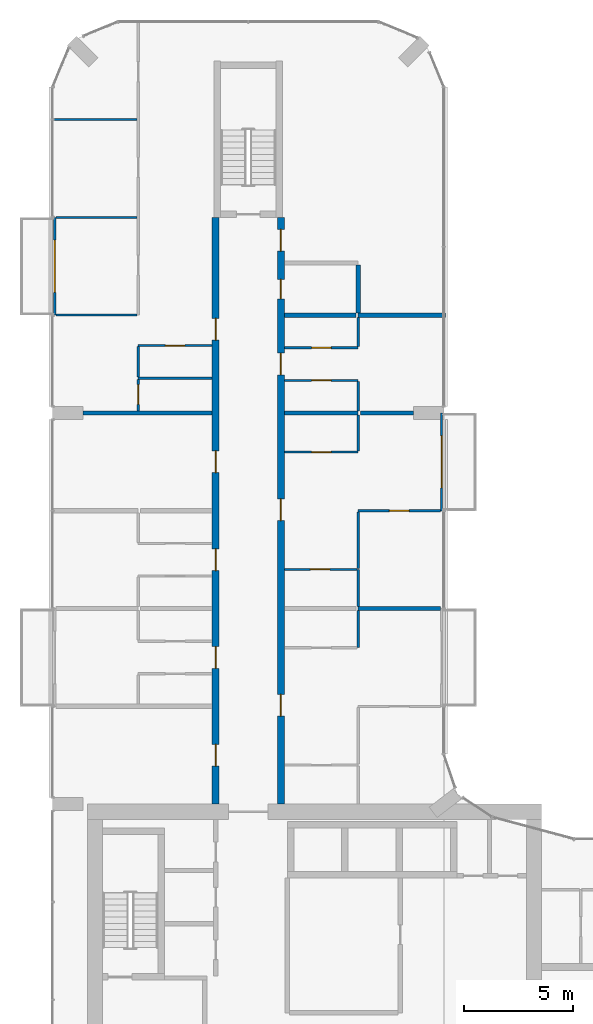
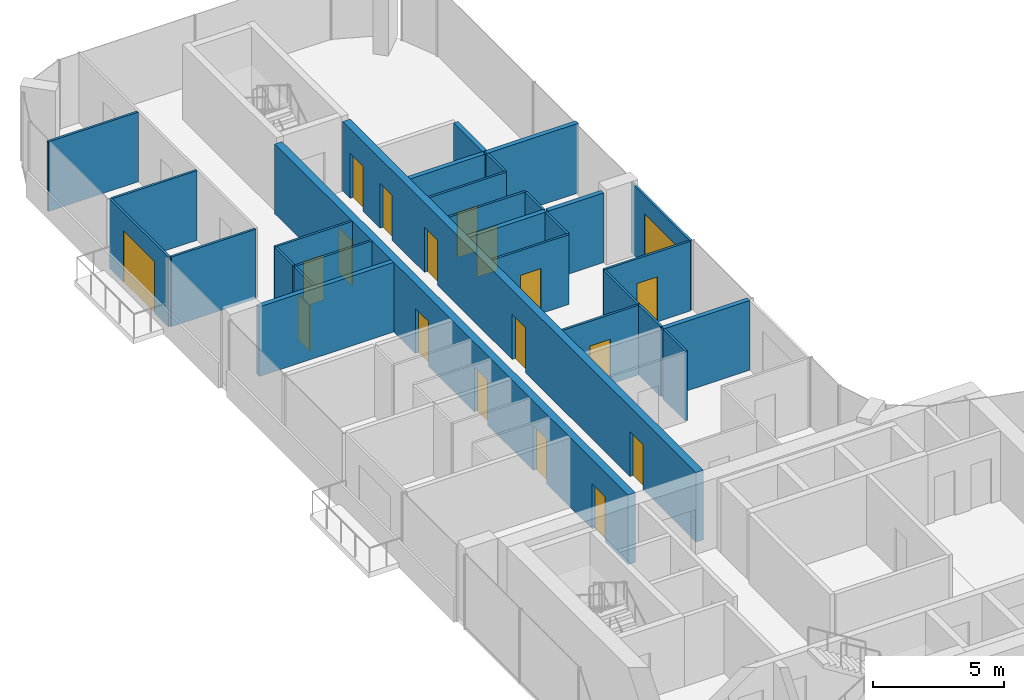
# One storey, part 16 of 23: 29 walls, 19 doors, 19 openings.
"""IFC4 building model written with IfcOpenShell, lengths in metres."""

from ifc_helpers import new_model, si_unit, direction, frame, frame_2d, origin, place, context, subcontext, project, spatial, rectangle, extrude, material, layer, layer_set, type_object, element, fill, save


model = new_model("IFC4")

# Units and contexts
model_context = context("Model", 3, precision=1e-05, world=origin(), true_north=direction((0.0, 1.0)))
body_context = subcontext(model_context, "Body", "Model", "MODEL_VIEW")
ifc_project = project(units=[si_unit("LENGTHUNIT", "METRE"), si_unit("AREAUNIT", "SQUARE_METRE"), si_unit("VOLUMEUNIT", "CUBIC_METRE"), si_unit("PLANEANGLEUNIT", "RADIAN"), si_unit("MASSUNIT", "GRAM", prefix="KILO")], contexts=[model_context])

# Site, building, storey
site_placement = place(None, origin())
site = spatial("IfcSite", under=ifc_project, at=site_placement, CompositionType="ELEMENT")
building_placement = place(site_placement, origin())
building = spatial("IfcBuilding", under=site, at=building_placement, Name="Plateau Cross Towers", CompositionType="ELEMENT")
storey_placement = place(building_placement, frame((0.0, 0.0, 81.800048828125)))
storey = spatial("IfcBuildingStorey", under=building, at=storey_placement, Name="L20", CompositionType="ELEMENT", Elevation=81.800048828125)

# Wall, opening, door
ifc_material_1 = material(Name="Aluminium framed glazing", Category="aluminium")
ifc_layer_1 = layer(ifc_material_1, 0.10009765625)
ifc_layer_set_1 = layer_set([ifc_layer_1], Name="Aluminium framed glazing")
wall_type_1 = type_object("IfcWallType", Name="Balcony screen wall 100", PredefinedType="STANDARD", material=ifc_layer_set_1)
wall_1_placement = place(storey_placement, frame((0.10009765625, 40.5, 0.0), z_axis=(0.0, 0.0, 1.0), x_axis=(0.0, 1.0, 0.0)))
wall_1 = element("IfcWall", 1, at=wall_1_placement, inside=storey, type_object=wall_type_1, Name="Balcony screen wall A-BAL-L20-02", PredefinedType="STANDARD", context=body_context, shape_type="SweptSolid", body=[
    extrude(rectangle(XDim=4.5, YDim=0.10009765625, at=frame_2d((2.25, 0.0))), origin(), (0.0, 0.0, 1.0), 3.25),
])
opening_1_placement = place(wall_1_placement, frame((1.050048828125, 0.0, 0.0)))
opening_1 = element("IfcOpeningElement", 2, at=opening_1_placement, cuts=wall_1, Name="Opening D-B24", PredefinedType="OPENING", context=body_context, shape_type="SweptSolid", body=[
    extrude(rectangle(XDim=2.39990234375, YDim=2.39990234375, at=frame_2d((1.199951171875, 1.199951171875))), frame((0.0, 0.06005859375, 0.0), z_axis=(0.0, -1.0, 0.0), x_axis=(1.0, 0.0, 0.0)), (0.0, 0.0, 1.0), 0.1201171875),
])
ifc_material_2 = material(Name="Aluminium frame, double glazing", Category="aluminium")
door_type_1 = type_object("IfcDoorType", Name="Balcony sliding door 2400", OperationType="NOTDEFINED", PredefinedType="DOOR", material=ifc_material_2)
door_1_placement = place(opening_1_placement, origin())
door_1 = element("IfcDoor", 3, at=door_1_placement, inside=storey, type_object=door_type_1, Name="Balcony door A-BAL-L20-02", OperationType="SINGLE_SWING_LEFT", OverallHeight=2.39990234375, OverallWidth=2.39990234375, PredefinedType="DOOR", context=body_context, shape_type="SweptSolid", body=[
    extrude(rectangle(XDim=2.39990234375, YDim=2.39990234375, at=frame_2d((1.199951171875, 1.199951171875))), frame((0.0, 0.02490234375, 0.0), z_axis=(0.0, -1.0, 0.0), x_axis=(1.0, 0.0, 0.0)), (0.0, 0.0, 1.0), 0.050048828125),
])
fill(opening_1, door_1)

wall_2_placement = place(storey_placement, frame((17.89990234375, 36.0, 0.0), z_axis=(0.0, 0.0, 1.0), x_axis=(0.0, -1.0, 0.0)))
wall_2 = element("IfcWall", 4, at=wall_2_placement, inside=storey, type_object=wall_type_1, Name="Balcony screen wall A-BAL-L20-04", PredefinedType="STANDARD", context=body_context, shape_type="SweptSolid", body=[
    extrude(rectangle(XDim=4.5, YDim=0.10009765625, at=frame_2d((2.25, 0.0))), origin(), (0.0, 0.0, 1.0), 3.25),
])
opening_2_placement = place(wall_2_placement, frame((1.050048828125, 0.0, 0.0)))
opening_2 = element("IfcOpeningElement", 5, at=opening_2_placement, cuts=wall_2, Name="Opening D-B24", PredefinedType="OPENING", context=body_context, shape_type="SweptSolid", body=[
    extrude(rectangle(XDim=2.39990234375, YDim=2.39990234375, at=frame_2d((1.199951171875, 1.199951171875))), frame((0.0, 0.06005859375, 0.0), z_axis=(0.0, -1.0, 0.0), x_axis=(1.0, 0.0, 0.0)), (0.0, 0.0, 1.0), 0.1201171875),
])
door_2_placement = place(opening_2_placement, origin())
door_2 = element("IfcDoor", 6, at=door_2_placement, inside=storey, type_object=door_type_1, Name="Balcony door A-BAL-L20-04", OperationType="SINGLE_SWING_LEFT", OverallHeight=2.39990234375, OverallWidth=2.39990234375, PredefinedType="DOOR", context=body_context, shape_type="SweptSolid", body=[
    extrude(rectangle(XDim=2.39990234375, YDim=2.39990234375, at=frame_2d((1.199951171875, 1.199951171875))), frame((0.0, 0.02490234375, 0.0), z_axis=(0.0, -1.0, 0.0), x_axis=(1.0, 0.0, 0.0)), (0.0, 0.0, 1.0), 0.050048828125),
])
fill(opening_2, door_2)

# Wall, openings, doors
ifc_material_3 = material(Name="Concrete C60/75", Category="concrete")
ifc_layer_2 = layer(ifc_material_3, 0.324951171875)
ifc_layer_set_2 = layer_set([ifc_layer_2], Name="Concrete C60/75")
wall_type_2 = type_object("IfcWallType", Name="Corridor wall 325", PredefinedType="SHEAR", material=ifc_layer_set_2)
wall_3_placement = place(storey_placement, frame((7.5, 18.0, 0.0), z_axis=(0.0, 0.0, 1.0), x_axis=(0.0, 1.0, 0.0)))
wall_3 = element("IfcWall", 7, at=wall_3_placement, inside=storey, type_object=wall_type_2, Name="A-cw-W1@L20", PredefinedType="SHEAR", context=body_context, shape_type="SweptSolid", body=[
    extrude(rectangle(XDim=27.0, YDim=0.324951171875, at=frame_2d((13.5, 0.0))), origin(), (0.0, 0.0, 1.0), 3.25),
])
opening_3_placement = place(wall_3_placement, frame((1.75, 0.0, 0.0)))
opening_3 = element("IfcOpeningElement", 8, at=opening_3_placement, cuts=wall_3, Name="Opening 20-08", PredefinedType="OPENING", context=body_context, shape_type="SweptSolid", body=[
    extrude(rectangle(XDim=1.0, YDim=2.10009765625, at=frame_2d((0.5, 1.050048828125))), frame((0.0, 0.17236328125, 0.0), z_axis=(0.0, -1.0, 0.0), x_axis=(1.0, 0.0, 0.0)), (0.0, 0.0, 1.0), 0.344970703125),
])
opening_4_placement = place(wall_3_placement, frame((6.25, 0.0, 0.0)))
opening_4 = element("IfcOpeningElement", 9, at=opening_4_placement, cuts=wall_3, Name="Opening 20-09", PredefinedType="OPENING", context=body_context, shape_type="SweptSolid", body=[
    extrude(rectangle(XDim=1.0, YDim=2.10009765625, at=frame_2d((0.5, 1.050048828125))), frame((0.0, 0.17236328125, 0.0), z_axis=(0.0, -1.0, 0.0), x_axis=(1.0, 0.0, 0.0)), (0.0, 0.0, 1.0), 0.344970703125),
])
opening_5_placement = place(wall_3_placement, frame((10.75, 0.0, 0.0)))
opening_5 = element("IfcOpeningElement", 10, at=opening_5_placement, cuts=wall_3, Name="Opening 20-10", PredefinedType="OPENING", context=body_context, shape_type="SweptSolid", body=[
    extrude(rectangle(XDim=1.0, YDim=2.10009765625, at=frame_2d((0.5, 1.050048828125))), frame((0.0, 0.17236328125, 0.0), z_axis=(0.0, -1.0, 0.0), x_axis=(1.0, 0.0, 0.0)), (0.0, 0.0, 1.0), 0.344970703125),
])
opening_6_placement = place(wall_3_placement, frame((15.25, 0.0, 0.0)))
opening_6 = element("IfcOpeningElement", 11, at=opening_6_placement, cuts=wall_3, Name="Opening 20-11", PredefinedType="OPENING", context=body_context, shape_type="SweptSolid", body=[
    extrude(rectangle(XDim=1.0, YDim=2.10009765625, at=frame_2d((0.5, 1.050048828125))), frame((0.0, 0.17236328125, 0.0), z_axis=(0.0, -1.0, 0.0), x_axis=(1.0, 0.0, 0.0)), (0.0, 0.0, 1.0), 0.344970703125),
])
opening_7_placement = place(wall_3_placement, frame((21.35009765625, 0.0, 0.0)))
opening_7 = element("IfcOpeningElement", 12, at=opening_7_placement, cuts=wall_3, Name="Opening 20-12", PredefinedType="OPENING", context=body_context, shape_type="SweptSolid", body=[
    extrude(rectangle(XDim=1.0, YDim=2.10009765625, at=frame_2d((0.5, 1.050048828125))), frame((0.0, 0.17236328125, 0.0), z_axis=(0.0, -1.0, 0.0), x_axis=(1.0, 0.0, 0.0)), (0.0, 0.0, 1.0), 0.344970703125),
])
ifc_material_4 = material(Name="Timber, fire-resisting leaf", Category="wood")
door_type_2 = type_object("IfcDoorType", Name="Flat entrance door 1000", OperationType="NOTDEFINED", PredefinedType="DOOR", material=ifc_material_4)
door_3_placement = place(opening_3_placement, origin())
door_3 = element("IfcDoor", 13, at=door_3_placement, inside=storey, type_object=door_type_2, Name="Door 20-08", OperationType="SINGLE_SWING_LEFT", OverallHeight=2.10009765625, OverallWidth=1.0, PredefinedType="DOOR", context=body_context, shape_type="SweptSolid", body=[
    extrude(rectangle(XDim=1.0, YDim=2.10009765625, at=frame_2d((0.5, 1.050048828125))), frame((0.0, 0.02490234375, 0.0), z_axis=(0.0, -1.0, 0.0), x_axis=(1.0, 0.0, 0.0)), (0.0, 0.0, 1.0), 0.050048828125),
])
fill(opening_3, door_3)
door_4_placement = place(opening_4_placement, origin())
door_4 = element("IfcDoor", 14, at=door_4_placement, inside=storey, type_object=door_type_2, Name="Door 20-09", OperationType="SINGLE_SWING_LEFT", OverallHeight=2.10009765625, OverallWidth=1.0, PredefinedType="DOOR", context=body_context, shape_type="SweptSolid", body=[
    extrude(rectangle(XDim=1.0, YDim=2.10009765625, at=frame_2d((0.5, 1.050048828125))), frame((0.0, 0.02490234375, 0.0), z_axis=(0.0, -1.0, 0.0), x_axis=(1.0, 0.0, 0.0)), (0.0, 0.0, 1.0), 0.050048828125),
])
fill(opening_4, door_4)
door_5_placement = place(opening_5_placement, origin())
door_5 = element("IfcDoor", 15, at=door_5_placement, inside=storey, type_object=door_type_2, Name="Door 20-10", OperationType="SINGLE_SWING_LEFT", OverallHeight=2.10009765625, OverallWidth=1.0, PredefinedType="DOOR", context=body_context, shape_type="SweptSolid", body=[
    extrude(rectangle(XDim=1.0, YDim=2.10009765625, at=frame_2d((0.5, 1.050048828125))), frame((0.0, 0.02490234375, 0.0), z_axis=(0.0, -1.0, 0.0), x_axis=(1.0, 0.0, 0.0)), (0.0, 0.0, 1.0), 0.050048828125),
])
fill(opening_5, door_5)
door_6_placement = place(opening_6_placement, origin())
door_6 = element("IfcDoor", 16, at=door_6_placement, inside=storey, type_object=door_type_2, Name="Door 20-11", OperationType="SINGLE_SWING_RIGHT", OverallHeight=2.10009765625, OverallWidth=1.0, PredefinedType="DOOR", context=body_context, shape_type="SweptSolid", body=[
    extrude(rectangle(XDim=1.0, YDim=2.10009765625, at=frame_2d((0.5, 1.050048828125))), frame((0.0, 0.02490234375, 0.0), z_axis=(0.0, -1.0, 0.0), x_axis=(1.0, 0.0, 0.0)), (0.0, 0.0, 1.0), 0.050048828125),
])
fill(opening_6, door_6)
door_7_placement = place(opening_7_placement, origin())
door_7 = element("IfcDoor", 17, at=door_7_placement, inside=storey, type_object=door_type_2, Name="Door 20-12", OperationType="SINGLE_SWING_RIGHT", OverallHeight=2.10009765625, OverallWidth=1.0, PredefinedType="DOOR", context=body_context, shape_type="SweptSolid", body=[
    extrude(rectangle(XDim=1.0, YDim=2.10009765625, at=frame_2d((0.5, 1.050048828125))), frame((0.0, 0.02490234375, 0.0), z_axis=(0.0, -1.0, 0.0), x_axis=(1.0, 0.0, 0.0)), (0.0, 0.0, 1.0), 0.050048828125),
])
fill(opening_7, door_7)

wall_4_placement = place(storey_placement, frame((10.5, 18.0, 0.0), z_axis=(0.0, 0.0, 1.0), x_axis=(0.0, 1.0, 0.0)))
wall_4 = element("IfcWall", 18, at=wall_4_placement, inside=storey, type_object=wall_type_2, Name="A-cw-W2@L20", PredefinedType="SHEAR", context=body_context, shape_type="SweptSolid", body=[
    extrude(rectangle(XDim=27.0, YDim=0.324951171875, at=frame_2d((13.5, 0.0))), origin(), (0.0, 0.0, 1.0), 3.25),
])
opening_8_placement = place(wall_4_placement, frame((4.050048828125, 0.0, 0.0)))
opening_8 = element("IfcOpeningElement", 19, at=opening_8_placement, cuts=wall_4, Name="Opening 20-13", PredefinedType="OPENING", context=body_context, shape_type="SweptSolid", body=[
    extrude(rectangle(XDim=1.0, YDim=2.10009765625, at=frame_2d((0.5, 1.050048828125))), frame((0.0, 0.17236328125, 0.0), z_axis=(0.0, -1.0, 0.0), x_axis=(1.0, 0.0, 0.0)), (0.0, 0.0, 1.0), 0.344970703125),
])
opening_9_placement = place(wall_4_placement, frame((13.050048828125, 0.0, 0.0)))
opening_9 = element("IfcOpeningElement", 20, at=opening_9_placement, cuts=wall_4, Name="Opening 20-14", PredefinedType="OPENING", context=body_context, shape_type="SweptSolid", body=[
    extrude(rectangle(XDim=1.0, YDim=2.10009765625, at=frame_2d((0.5, 1.050048828125))), frame((0.0, 0.17236328125, 0.0), z_axis=(0.0, -1.0, 0.0), x_axis=(1.0, 0.0, 0.0)), (0.0, 0.0, 1.0), 0.344970703125),
])
opening_10_placement = place(wall_4_placement, frame((19.75, 0.0, 0.0)))
opening_10 = element("IfcOpeningElement", 21, at=opening_10_placement, cuts=wall_4, Name="Opening 20-15", PredefinedType="OPENING", context=body_context, shape_type="SweptSolid", body=[
    extrude(rectangle(XDim=1.0, YDim=2.10009765625, at=frame_2d((0.5, 1.050048828125))), frame((0.0, 0.17236328125, 0.0), z_axis=(0.0, -1.0, 0.0), x_axis=(1.0, 0.0, 0.0)), (0.0, 0.0, 1.0), 0.344970703125),
])
opening_11_placement = place(wall_4_placement, frame((23.25, 0.0, 0.0)))
opening_11 = element("IfcOpeningElement", 22, at=opening_11_placement, cuts=wall_4, Name="Opening 20-16", PredefinedType="OPENING", context=body_context, shape_type="SweptSolid", body=[
    extrude(rectangle(XDim=0.89990234375, YDim=2.10009765625, at=frame_2d((0.449951171875, 1.050048828125))), frame((0.0, 0.17236328125, 0.0), z_axis=(0.0, -1.0, 0.0), x_axis=(1.0, 0.0, 0.0)), (0.0, 0.0, 1.0), 0.344970703125),
])
opening_12_placement = place(wall_4_placement, frame((25.449951171875, 0.0, 0.0)))
opening_12 = element("IfcOpeningElement", 23, at=opening_12_placement, cuts=wall_4, Name="Opening 20-17", PredefinedType="OPENING", context=body_context, shape_type="SweptSolid", body=[
    extrude(rectangle(XDim=1.0, YDim=2.10009765625, at=frame_2d((0.5, 1.050048828125))), frame((0.0, 0.17236328125, 0.0), z_axis=(0.0, -1.0, 0.0), x_axis=(1.0, 0.0, 0.0)), (0.0, 0.0, 1.0), 0.344970703125),
])
door_8_placement = place(opening_8_placement, origin())
door_8 = element("IfcDoor", 24, at=door_8_placement, inside=storey, type_object=door_type_2, Name="Door 20-13", OperationType="SINGLE_SWING_LEFT", OverallHeight=2.10009765625, OverallWidth=1.0, PredefinedType="DOOR", context=body_context, shape_type="SweptSolid", body=[
    extrude(rectangle(XDim=1.0, YDim=2.10009765625, at=frame_2d((0.5, 1.050048828125))), frame((0.0, 0.02490234375, 0.0), z_axis=(0.0, -1.0, 0.0), x_axis=(1.0, 0.0, 0.0)), (0.0, 0.0, 1.0), 0.050048828125),
])
fill(opening_8, door_8)
door_9_placement = place(opening_9_placement, origin())
door_9 = element("IfcDoor", 25, at=door_9_placement, inside=storey, type_object=door_type_2, Name="Door 20-14", OperationType="SINGLE_SWING_RIGHT", OverallHeight=2.10009765625, OverallWidth=1.0, PredefinedType="DOOR", context=body_context, shape_type="SweptSolid", body=[
    extrude(rectangle(XDim=1.0, YDim=2.10009765625, at=frame_2d((0.5, 1.050048828125))), frame((0.0, 0.02490234375, 0.0), z_axis=(0.0, -1.0, 0.0), x_axis=(1.0, 0.0, 0.0)), (0.0, 0.0, 1.0), 0.050048828125),
])
fill(opening_9, door_9)
door_10_placement = place(opening_10_placement, origin())
door_10 = element("IfcDoor", 26, at=door_10_placement, inside=storey, type_object=door_type_2, Name="Door 20-15", OperationType="SINGLE_SWING_RIGHT", OverallHeight=2.10009765625, OverallWidth=1.0, PredefinedType="DOOR", context=body_context, shape_type="SweptSolid", body=[
    extrude(rectangle(XDim=1.0, YDim=2.10009765625, at=frame_2d((0.5, 1.050048828125))), frame((0.0, 0.02490234375, 0.0), z_axis=(0.0, -1.0, 0.0), x_axis=(1.0, 0.0, 0.0)), (0.0, 0.0, 1.0), 0.050048828125),
])
fill(opening_10, door_10)
door_11_placement = place(opening_12_placement, origin())
door_11 = element("IfcDoor", 27, at=door_11_placement, inside=storey, type_object=door_type_2, Name="Door 20-17", OperationType="SINGLE_SWING_RIGHT", OverallHeight=2.10009765625, OverallWidth=1.0, PredefinedType="DOOR", context=body_context, shape_type="SweptSolid", body=[
    extrude(rectangle(XDim=1.0, YDim=2.10009765625, at=frame_2d((0.5, 1.050048828125))), frame((0.0, 0.02490234375, 0.0), z_axis=(0.0, -1.0, 0.0), x_axis=(1.0, 0.0, 0.0)), (0.0, 0.0, 1.0), 0.050048828125),
])
fill(opening_12, door_11)
door_type_3 = type_object("IfcDoorType", Name="Flat floor service door 900", OperationType="NOTDEFINED", PredefinedType="DOOR", material=ifc_material_4)
door_12_placement = place(opening_11_placement, origin())
door_12 = element("IfcDoor", 28, at=door_12_placement, inside=storey, type_object=door_type_3, Name="Door 20-16", OperationType="SINGLE_SWING_RIGHT", OverallHeight=2.10009765625, OverallWidth=0.89990234375, PredefinedType="DOOR", context=body_context, shape_type="SweptSolid", body=[
    extrude(rectangle(XDim=0.89990234375, YDim=2.10009765625, at=frame_2d((0.449951171875, 1.050048828125))), frame((0.0, 0.02490234375, 0.0), z_axis=(0.0, -1.0, 0.0), x_axis=(1.0, 0.0, 0.0)), (0.0, 0.0, 1.0), 0.050048828125),
])
fill(opening_11, door_12)

# Wall, opening, door
ifc_material_5 = material(Name="Gypsum board on steel studs", Category="steel")
ifc_layer_3 = layer(ifc_material_5, 0.10009765625)
ifc_layer_set_3 = layer_set([ifc_layer_3], Name="Gypsum board on steel studs")
wall_type_3 = type_object("IfcWallType", Name="Flat partition 100", PredefinedType="PARTITIONING", material=ifc_layer_set_3)
wall_5_placement = place(storey_placement, frame((14.012451171875, 28.800048828125, 0.0), z_axis=(0.0, 0.0, 1.0), x_axis=(-1.0, 0.0, 0.0)))
wall_5 = element("IfcWall", 29, at=wall_5_placement, inside=storey, type_object=wall_type_3, Name="Partition wall", PredefinedType="PARTITIONING", context=body_context, shape_type="SweptSolid", body=[
    extrude(rectangle(XDim=3.349853515625, YDim=0.10009765625, at=frame_2d((1.6748046875, 0.0))), origin(), (0.0, 0.0, 1.0), 3.25),
])
opening_13_placement = place(wall_5_placement, frame((1.25, 0.0, 0.0)))
opening_13 = element("IfcOpeningElement", 30, at=opening_13_placement, cuts=wall_5, Name="Opening 20-46", PredefinedType="OPENING", context=body_context, shape_type="SweptSolid", body=[
    extrude(rectangle(XDim=0.89990234375, YDim=2.10009765625, at=frame_2d((0.449951171875, 1.050048828125))), frame((0.0, 0.06005859375, 0.0), z_axis=(0.0, -1.0, 0.0), x_axis=(1.0, 0.0, 0.0)), (0.0, 0.0, 1.0), 0.1201171875),
])
ifc_material_6 = material(Name="Timber leaf", Category="wood")
door_type_4 = type_object("IfcDoorType", Name="Flat room door 900", OperationType="NOTDEFINED", PredefinedType="DOOR", material=ifc_material_6)
door_13_placement = place(opening_13_placement, origin())
door_13 = element("IfcDoor", 31, at=door_13_placement, inside=storey, type_object=door_type_4, Name="Door 20-46", OperationType="SINGLE_SWING_RIGHT", OverallHeight=2.10009765625, OverallWidth=0.89990234375, PredefinedType="DOOR", context=body_context, shape_type="SweptSolid", body=[
    extrude(rectangle(XDim=0.89990234375, YDim=2.10009765625, at=frame_2d((0.449951171875, 1.050048828125))), frame((0.0, 0.02490234375, 0.0), z_axis=(0.0, -1.0, 0.0), x_axis=(1.0, 0.0, 0.0)), (0.0, 0.0, 1.0), 0.050048828125),
])
fill(opening_13, door_13)

wall_6_placement = place(storey_placement, frame((17.85009765625, 31.5, 0.0), z_axis=(0.0, 0.0, 1.0), x_axis=(-1.0, 0.0, 0.0)))
wall_6 = element("IfcWall", 32, at=wall_6_placement, inside=storey, type_object=wall_type_3, Name="Partition wall", PredefinedType="PARTITIONING", context=body_context, shape_type="SweptSolid", body=[
    extrude(rectangle(XDim=3.78759765625, YDim=0.10009765625, at=frame_2d((1.893798828125, 0.0))), origin(), (0.0, 0.0, 1.0), 3.25),
])
opening_14_placement = place(wall_6_placement, frame((1.449951171875, 0.0, 0.0)))
opening_14 = element("IfcOpeningElement", 33, at=opening_14_placement, cuts=wall_6, Name="Opening 20-48", PredefinedType="OPENING", context=body_context, shape_type="SweptSolid", body=[
    extrude(rectangle(XDim=0.89990234375, YDim=2.10009765625, at=frame_2d((0.449951171875, 1.050048828125))), frame((0.0, 0.06005859375, 0.0), z_axis=(0.0, -1.0, 0.0), x_axis=(1.0, 0.0, 0.0)), (0.0, 0.0, 1.0), 0.1201171875),
])
door_14_placement = place(opening_14_placement, origin())
door_14 = element("IfcDoor", 34, at=door_14_placement, inside=storey, type_object=door_type_4, Name="Door 20-48", OperationType="SINGLE_SWING_RIGHT", OverallHeight=2.10009765625, OverallWidth=0.89990234375, PredefinedType="DOOR", context=body_context, shape_type="SweptSolid", body=[
    extrude(rectangle(XDim=0.89990234375, YDim=2.10009765625, at=frame_2d((0.449951171875, 1.050048828125))), frame((0.0, 0.02490234375, 0.0), z_axis=(0.0, -1.0, 0.0), x_axis=(1.0, 0.0, 0.0)), (0.0, 0.0, 1.0), 0.050048828125),
])
fill(opening_14, door_14)

wall_7_placement = place(storey_placement, frame((10.66259765625, 34.199951171875, 0.0), z_axis=(0.0, 0.0, 1.0), x_axis=(1.0, 0.0, 0.0)))
wall_7 = element("IfcWall", 35, at=wall_7_placement, inside=storey, type_object=wall_type_3, Name="Partition wall", PredefinedType="PARTITIONING", context=body_context, shape_type="SweptSolid", body=[
    extrude(rectangle(XDim=3.39990234375, YDim=0.10009765625, at=frame_2d((1.699951171875, 0.0))), origin(), (0.0, 0.0, 1.0), 3.25),
])
opening_15_placement = place(wall_7_placement, frame((1.25, 0.0, 0.0)))
opening_15 = element("IfcOpeningElement", 36, at=opening_15_placement, cuts=wall_7, Name="Opening 20-47", PredefinedType="OPENING", context=body_context, shape_type="SweptSolid", body=[
    extrude(rectangle(XDim=0.89990234375, YDim=2.10009765625, at=frame_2d((0.449951171875, 1.050048828125))), frame((0.0, 0.06005859375, 0.0), z_axis=(0.0, -1.0, 0.0), x_axis=(1.0, 0.0, 0.0)), (0.0, 0.0, 1.0), 0.1201171875),
])
door_15_placement = place(opening_15_placement, origin())
door_15 = element("IfcDoor", 37, at=door_15_placement, inside=storey, type_object=door_type_4, Name="Door 20-47", OperationType="SINGLE_SWING_LEFT", OverallHeight=2.10009765625, OverallWidth=0.89990234375, PredefinedType="DOOR", context=body_context, shape_type="SweptSolid", body=[
    extrude(rectangle(XDim=0.89990234375, YDim=2.10009765625, at=frame_2d((0.449951171875, 1.050048828125))), frame((0.0, 0.02490234375, 0.0), z_axis=(0.0, -1.0, 0.0), x_axis=(1.0, 0.0, 0.0)), (0.0, 0.0, 1.0), 0.050048828125),
])
fill(opening_15, door_15)

wall_8_placement = place(storey_placement, frame((14.0625, 37.5, 0.0), z_axis=(0.0, 0.0, 1.0), x_axis=(-1.0, 0.0, 0.0)))
wall_8 = element("IfcWall", 38, at=wall_8_placement, inside=storey, type_object=wall_type_3, Name="Partition wall", PredefinedType="PARTITIONING", context=body_context, shape_type="SweptSolid", body=[
    extrude(rectangle(XDim=3.39990234375, YDim=0.10009765625, at=frame_2d((1.699951171875, 0.0))), origin(), (0.0, 0.0, 1.0), 3.25),
])
opening_16_placement = place(wall_8_placement, frame((1.25, 0.0, 0.0)))
opening_16 = element("IfcOpeningElement", 39, at=opening_16_placement, cuts=wall_8, Name="Opening 20-49", PredefinedType="OPENING", context=body_context, shape_type="SweptSolid", body=[
    extrude(rectangle(XDim=0.89990234375, YDim=2.10009765625, at=frame_2d((0.449951171875, 1.050048828125))), frame((0.0, 0.06005859375, 0.0), z_axis=(0.0, -1.0, 0.0), x_axis=(1.0, 0.0, 0.0)), (0.0, 0.0, 1.0), 0.1201171875),
])
door_16_placement = place(opening_16_placement, origin())
door_16 = element("IfcDoor", 40, at=door_16_placement, inside=storey, type_object=door_type_4, Name="Door 20-49", OperationType="SINGLE_SWING_LEFT", OverallHeight=2.10009765625, OverallWidth=0.89990234375, PredefinedType="DOOR", context=body_context, shape_type="SweptSolid", body=[
    extrude(rectangle(XDim=0.89990234375, YDim=2.10009765625, at=frame_2d((0.449951171875, 1.050048828125))), frame((0.0, 0.02490234375, 0.0), z_axis=(0.0, -1.0, 0.0), x_axis=(1.0, 0.0, 0.0)), (0.0, 0.0, 1.0), 0.050048828125),
])
fill(opening_16, door_16)

# Wall
wall_9_placement = place(storey_placement, frame((7.33740234375, 37.60009765625, 0.0), z_axis=(0.0, 0.0, 1.0), x_axis=(-1.0, 0.0, 0.0)))
element("IfcWall", 41, at=wall_9_placement, inside=storey, type_object=wall_type_3, Name="Partition wall", PredefinedType="PARTITIONING", context=body_context, shape_type="SweptSolid", body=[
    extrude(rectangle(XDim=3.39990234375, YDim=0.10009765625, at=frame_2d((1.699951171875, 0.0))), origin(), (0.0, 0.0, 1.0), 3.25),
])

# Wall, opening, door
wall_10_placement = place(storey_placement, frame((10.66259765625, 39.0, 0.0), z_axis=(0.0, 0.0, 1.0), x_axis=(1.0, 0.0, 0.0)))
wall_10 = element("IfcWall", 42, at=wall_10_placement, inside=storey, type_object=wall_type_3, Name="Partition wall", PredefinedType="PARTITIONING", context=body_context, shape_type="SweptSolid", body=[
    extrude(rectangle(XDim=3.39990234375, YDim=0.10009765625, at=frame_2d((1.699951171875, 0.0))), origin(), (0.0, 0.0, 1.0), 3.25),
])
opening_17_placement = place(wall_10_placement, frame((1.25, 0.0, 0.0)))
opening_17 = element("IfcOpeningElement", 43, at=opening_17_placement, cuts=wall_10, Name="Opening 20-50", PredefinedType="OPENING", context=body_context, shape_type="SweptSolid", body=[
    extrude(rectangle(XDim=0.89990234375, YDim=2.10009765625, at=frame_2d((0.449951171875, 1.050048828125))), frame((0.0, 0.06005859375, 0.0), z_axis=(0.0, -1.0, 0.0), x_axis=(1.0, 0.0, 0.0)), (0.0, 0.0, 1.0), 0.1201171875),
])
door_17_placement = place(opening_17_placement, origin())
door_17 = element("IfcDoor", 44, at=door_17_placement, inside=storey, type_object=door_type_4, Name="Door 20-50", OperationType="SINGLE_SWING_LEFT", OverallHeight=2.10009765625, OverallWidth=0.89990234375, PredefinedType="DOOR", context=body_context, shape_type="SweptSolid", body=[
    extrude(rectangle(XDim=0.89990234375, YDim=2.10009765625, at=frame_2d((0.449951171875, 1.050048828125))), frame((0.0, 0.02490234375, 0.0), z_axis=(0.0, -1.0, 0.0), x_axis=(1.0, 0.0, 0.0)), (0.0, 0.0, 1.0), 0.050048828125),
])
fill(opening_17, door_17)

wall_11_placement = place(storey_placement, frame((7.33740234375, 39.10009765625, 0.0), z_axis=(0.0, 0.0, 1.0), x_axis=(-1.0, 0.0, 0.0)))
wall_11 = element("IfcWall", 45, at=wall_11_placement, inside=storey, type_object=wall_type_3, Name="Partition wall", PredefinedType="PARTITIONING", context=body_context, shape_type="SweptSolid", body=[
    extrude(rectangle(XDim=3.39990234375, YDim=0.10009765625, at=frame_2d((1.699951171875, 0.0))), origin(), (0.0, 0.0, 1.0), 3.25),
])
opening_18_placement = place(wall_11_placement, frame((1.25, 0.0, 0.0)))
opening_18 = element("IfcOpeningElement", 46, at=opening_18_placement, cuts=wall_11, Name="Opening 20-39", PredefinedType="OPENING", context=body_context, shape_type="SweptSolid", body=[
    extrude(rectangle(XDim=0.89990234375, YDim=2.10009765625, at=frame_2d((0.449951171875, 1.050048828125))), frame((0.0, 0.06005859375, 0.0), z_axis=(0.0, -1.0, 0.0), x_axis=(1.0, 0.0, 0.0)), (0.0, 0.0, 1.0), 0.1201171875),
])
door_18_placement = place(opening_18_placement, origin())
door_18 = element("IfcDoor", 47, at=door_18_placement, inside=storey, type_object=door_type_4, Name="Door 20-39", OperationType="SINGLE_SWING_LEFT", OverallHeight=2.10009765625, OverallWidth=0.89990234375, PredefinedType="DOOR", context=body_context, shape_type="SweptSolid", body=[
    extrude(rectangle(XDim=0.89990234375, YDim=2.10009765625, at=frame_2d((0.449951171875, 1.050048828125))), frame((0.0, 0.02490234375, 0.0), z_axis=(0.0, -1.0, 0.0), x_axis=(1.0, 0.0, 0.0)), (0.0, 0.0, 1.0), 0.050048828125),
])
fill(opening_18, door_18)

# Walls
for number, where, z_axis, x_axis, name in (
    (48, (0.14990234375, 40.5, 0.0), (0.0, 0.0, 1.0), (1.0, 0.0, 0.0), "Partition wall"),
    (49, (3.887451171875, 45.0, 0.0), (0.0, 0.0, 1.0), (-1.0, 0.0, 0.0), "Partition wall"),
):
    element("IfcWall", number, at=place(storey_placement, frame(where, z_axis=z_axis, x_axis=x_axis)), inside=storey, type_object=wall_type_3, Name=name, PredefinedType="PARTITIONING", context=body_context, shape_type="SweptSolid", body=[
        extrude(rectangle(XDim=3.737548828125, YDim=0.10009765625, at=frame_2d((1.86865234375, 0.0))), origin(), (0.0, 0.0, 1.0), 3.25),
    ])
wall_12_placement = place(storey_placement, frame((3.887451171875, 49.5, 0.0), z_axis=(0.0, 0.0, 1.0), x_axis=(-1.0, 0.0, 0.0)))
element("IfcWall", 50, at=wall_12_placement, inside=storey, type_object=wall_type_3, Name="Partition wall", PredefinedType="PARTITIONING", context=body_context, shape_type="SweptSolid", body=[
    extrude(rectangle(XDim=3.967529296875, YDim=0.10009765625, at=frame_2d((1.98388671875, 0.0))), origin(), (0.0, 0.0, 1.0), 3.25),
])

# Wall, opening, door
wall_13_placement = place(storey_placement, frame((3.9375, 37.550048828125, 0.0), z_axis=(0.0, 0.0, 1.0), x_axis=(0.0, -1.0, 0.0)))
wall_13 = element("IfcWall", 51, at=wall_13_placement, inside=storey, type_object=wall_type_3, Name="Partition wall", PredefinedType="PARTITIONING", context=body_context, shape_type="SweptSolid", body=[
    extrude(rectangle(XDim=1.449951171875, YDim=0.10009765625, at=frame_2d((0.72509765625, 0.0))), origin(), (0.0, 0.0, 1.0), 3.25),
])
opening_19_placement = place(wall_13_placement, frame((0.25, 0.0, 0.0)))
opening_19 = element("IfcOpeningElement", 52, at=opening_19_placement, cuts=wall_13, Name="Opening 20-38", PredefinedType="OPENING", context=body_context, shape_type="SweptSolid", body=[
    extrude(rectangle(XDim=0.89990234375, YDim=2.10009765625, at=frame_2d((0.449951171875, 1.050048828125))), frame((0.0, 0.06005859375, 0.0), z_axis=(0.0, -1.0, 0.0), x_axis=(1.0, 0.0, 0.0)), (0.0, 0.0, 1.0), 0.1201171875),
])
door_19_placement = place(opening_19_placement, origin())
door_19 = element("IfcDoor", 53, at=door_19_placement, inside=storey, type_object=door_type_4, Name="Door 20-38", OperationType="SINGLE_SWING_LEFT", OverallHeight=2.10009765625, OverallWidth=0.89990234375, PredefinedType="DOOR", context=body_context, shape_type="SweptSolid", body=[
    extrude(rectangle(XDim=0.89990234375, YDim=2.10009765625, at=frame_2d((0.449951171875, 1.050048828125))), frame((0.0, 0.02490234375, 0.0), z_axis=(0.0, -1.0, 0.0), x_axis=(1.0, 0.0, 0.0)), (0.0, 0.0, 1.0), 0.050048828125),
])
fill(opening_19, door_19)

# Walls
wall_14_placement = place(storey_placement, frame((3.9375, 39.050048828125, 0.0), z_axis=(0.0, 0.0, 1.0), x_axis=(0.0, -1.0, 0.0)))
element("IfcWall", 54, at=wall_14_placement, inside=storey, type_object=wall_type_3, Name="Partition wall", PredefinedType="PARTITIONING", context=body_context, shape_type="SweptSolid", body=[
    extrude(rectangle(XDim=1.400146484375, YDim=0.10009765625, at=frame_2d((0.7001953125, 0.0))), origin(), (0.0, 0.0, 1.0), 3.25),
])
wall_15_placement = place(storey_placement, frame((14.0625, 31.449951171875, 0.0), z_axis=(0.0, 0.0, 1.0), x_axis=(0.0, -1.0, 0.0)))
element("IfcWall", 55, at=wall_15_placement, inside=storey, type_object=wall_type_3, Name="Partition wall", PredefinedType="PARTITIONING", context=body_context, shape_type="SweptSolid", body=[
    extrude(rectangle(XDim=2.599853515625, YDim=0.10009765625, at=frame_2d((1.2998046875, 0.0))), origin(), (0.0, 0.0, 1.0), 3.25),
])
for number, where, z_axis, x_axis, name in (
    (56, (14.0625, 25.199951171875, 0.0), (0.0, 0.0, 1.0), (0.0, 1.0, 0.0), "Partition wall"),
    (57, (14.0625, 27.10009765625, 0.0), (0.0, 0.0, 1.0), (0.0, 1.0, 0.0), "Partition wall"),
):
    element("IfcWall", number, at=place(storey_placement, frame(where, z_axis=z_axis, x_axis=x_axis)), inside=storey, type_object=wall_type_3, Name=name, PredefinedType="PARTITIONING", context=body_context, shape_type="SweptSolid", body=[
        extrude(rectangle(XDim=1.699951171875, YDim=0.10009765625, at=frame_2d((0.85009765625, 0.0))), origin(), (0.0, 0.0, 1.0), 3.25),
    ])
wall_16_placement = place(storey_placement, frame((14.0625, 34.25, 0.0), z_axis=(0.0, 0.0, 1.0), x_axis=(0.0, 1.0, 0.0)))
element("IfcWall", 58, at=wall_16_placement, inside=storey, type_object=wall_type_3, Name="Partition wall", PredefinedType="PARTITIONING", context=body_context, shape_type="SweptSolid", body=[
    extrude(rectangle(XDim=1.64990234375, YDim=0.10009765625, at=frame_2d((0.824951171875, 0.0))), origin(), (0.0, 0.0, 1.0), 3.25),
])
for number, where, z_axis, x_axis, name in (
    (59, (14.0625, 36.10009765625, 0.0), (0.0, 0.0, 1.0), (0.0, 1.0, 0.0), "Partition wall"),
    (60, (14.0625, 39.050048828125, 0.0), (0.0, 0.0, 1.0), (0.0, 1.0, 0.0), "Partition wall"),
):
    element("IfcWall", number, at=place(storey_placement, frame(where, z_axis=z_axis, x_axis=x_axis)), inside=storey, type_object=wall_type_3, Name=name, PredefinedType="PARTITIONING", context=body_context, shape_type="SweptSolid", body=[
        extrude(rectangle(XDim=1.349853515625, YDim=0.10009765625, at=frame_2d((0.6748046875, 0.0))), origin(), (0.0, 0.0, 1.0), 3.25),
    ])
ifc_material_7 = material(Name="Gypsum board on steel studs, two layers each side", Category="steel")
ifc_layer_4 = layer(ifc_material_7, 0.199951171875)
ifc_layer_set_4 = layer_set([ifc_layer_4], Name="Gypsum board on steel studs, two layers each side")
wall_type_4 = type_object("IfcWallType", Name="Flat party wall 200", PredefinedType="PARTITIONING", material=ifc_layer_set_4)
wall_17_placement = place(storey_placement, frame((14.0625, 27.0, 0.0), z_axis=(0.0, 0.0, 1.0), x_axis=(1.0, 0.0, 0.0)))
element("IfcWall", 61, at=wall_17_placement, inside=storey, type_object=wall_type_4, Name="Party wall", PredefinedType="PARTITIONING", context=body_context, shape_type="SweptSolid", body=[
    extrude(rectangle(XDim=3.78759765625, YDim=0.199951171875, at=frame_2d((1.893798828125, 0.0))), origin(), (0.0, 0.0, 1.0), 3.25),
])
wall_18_placement = place(storey_placement, frame((7.33740234375, 36.0, 0.0), z_axis=(0.0, 0.0, 1.0), x_axis=(-1.0, 0.0, 0.0)))
element("IfcWall", 62, at=wall_18_placement, inside=storey, type_object=wall_type_4, Name="Party wall", PredefinedType="PARTITIONING", context=body_context, shape_type="SweptSolid", body=[
    extrude(rectangle(XDim=5.9375, YDim=0.199951171875, at=frame_2d((2.96875, 0.0))), origin(), (0.0, 0.0, 1.0), 3.25),
])
wall_19_placement = place(storey_placement, frame((14.0625, 36.0, 0.0), z_axis=(0.0, 0.0, 1.0), x_axis=(-1.0, 0.0, 0.0)))
element("IfcWall", 63, at=wall_19_placement, inside=storey, type_object=wall_type_4, Name="Party wall", PredefinedType="PARTITIONING", context=body_context, shape_type="SweptSolid", body=[
    extrude(rectangle(XDim=3.39990234375, YDim=0.199951171875, at=frame_2d((1.699951171875, 0.0))), origin(), (0.0, 0.0, 1.0), 3.25),
])
wall_20_placement = place(storey_placement, frame((14.16259765625, 36.0, 0.0), z_axis=(0.0, 0.0, 1.0), x_axis=(1.0, 0.0, 0.0)))
element("IfcWall", 64, at=wall_20_placement, inside=storey, type_object=wall_type_4, Name="Party wall", PredefinedType="PARTITIONING", context=body_context, shape_type="SweptSolid", body=[
    extrude(rectangle(XDim=2.4375, YDim=0.199951171875, at=frame_2d((1.21875, 0.0))), origin(), (0.0, 0.0, 1.0), 3.25),
])
wall_21_placement = place(storey_placement, frame((13.96240234375, 40.5, 0.0), z_axis=(0.0, 0.0, 1.0), x_axis=(-1.0, 0.0, 0.0)))
element("IfcWall", 65, at=wall_21_placement, inside=storey, type_object=wall_type_4, Name="Party wall", PredefinedType="PARTITIONING", context=body_context, shape_type="SweptSolid", body=[
    extrude(rectangle(XDim=3.2998046875, YDim=0.199951171875, at=frame_2d((1.64990234375, 0.0))), origin(), (0.0, 0.0, 1.0), 3.25),
])
wall_22_placement = place(storey_placement, frame((14.0625, 40.5, 0.0), z_axis=(0.0, 0.0, 1.0), x_axis=(1.0, 0.0, 0.0)))
element("IfcWall", 66, at=wall_22_placement, inside=storey, type_object=wall_type_4, Name="Party wall", PredefinedType="PARTITIONING", context=body_context, shape_type="SweptSolid", body=[
    extrude(rectangle(XDim=4.017578125, YDim=0.199951171875, at=frame_2d((2.0087890625, 0.0))), origin(), (0.0, 0.0, 1.0), 3.25),
])
wall_23_placement = place(storey_placement, frame((14.0625, 40.60009765625, 0.0), z_axis=(0.0, 0.0, 1.0), x_axis=(0.0, 1.0, 0.0)))
element("IfcWall", 67, at=wall_23_placement, inside=storey, type_object=wall_type_4, Name="Party wall", PredefinedType="PARTITIONING", context=body_context, shape_type="SweptSolid", body=[
    extrude(rectangle(XDim=2.199951171875, YDim=0.199951171875, at=frame_2d((1.10009765625, 0.0))), origin(), (0.0, 0.0, 1.0), 3.25),
])

save(model, "model.ifc")
